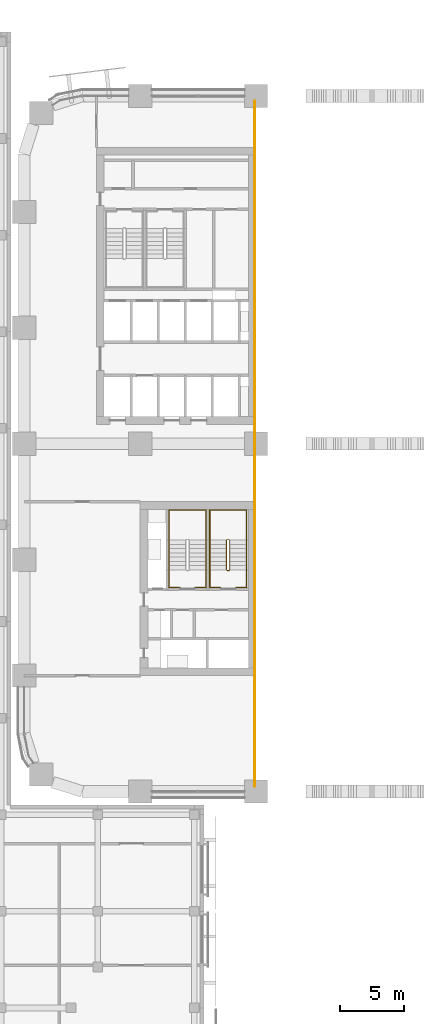
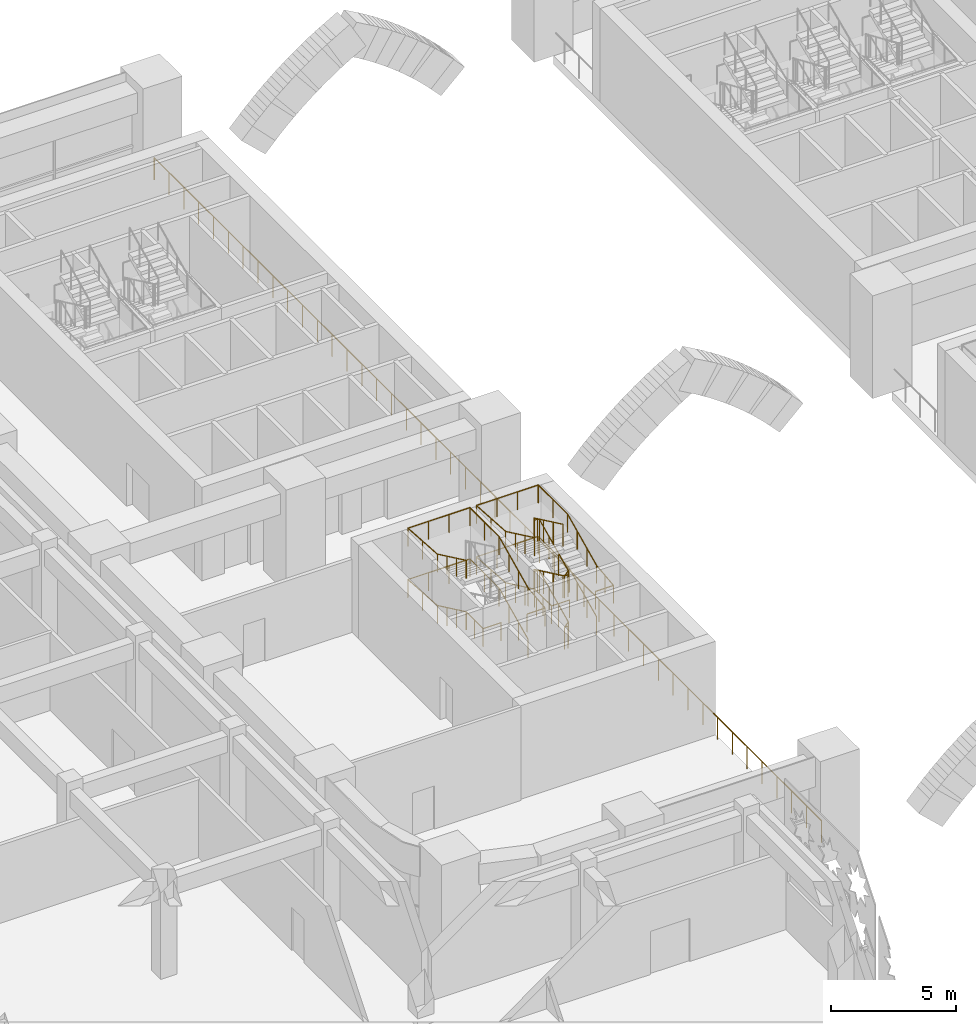
# One storey, part 33 of 40: 6 railings.
"""IFC4 building model written with IfcOpenShell, lengths in metres."""

from ifc_helpers import new_model, si_unit, direction, frame, origin, origin_2d, place, context, subcontext, project, spatial, circle, extrude, material, type_object, element, save


model = new_model("IFC4")

# Units and contexts
model_context = context("Model", 3, precision=1e-05, world=origin(), true_north=direction((0.0, 1.0)))
body_context = subcontext(model_context, "Body", "Model", "MODEL_VIEW")
ifc_project = project(units=[si_unit("LENGTHUNIT", "METRE"), si_unit("AREAUNIT", "SQUARE_METRE"), si_unit("VOLUMEUNIT", "CUBIC_METRE"), si_unit("PLANEANGLEUNIT", "RADIAN"), si_unit("MASSUNIT", "GRAM", prefix="KILO")], contexts=[model_context])

# Site, building, storey
site_placement = place(None, origin())
site = spatial("IfcSite", under=ifc_project, at=site_placement, CompositionType="ELEMENT")
building_placement = place(site_placement, origin())
building = spatial("IfcBuilding", under=site, at=building_placement, Name="Tessera Arch", CompositionType="ELEMENT")
storey_placement = place(building_placement, frame((0.0, 0.0, 21.0)))
storey = spatial("IfcBuildingStorey", under=building, at=storey_placement, Name="L03", CompositionType="ELEMENT", Elevation=21.0)

# Railings
ifc_material_1 = material(Name="Stainless steel and clear glass", Category="steel")
railing_type_1 = type_object("IfcRailingType", Name="Museum roof guard 1100", PredefinedType="GUARDRAIL", material=ifc_material_1)
railing_1_placement = place(storey_placement, frame((17.89990234375, 0.39990234375, 0.0)))
element("IfcRailing", 1, at=railing_1_placement, inside=storey, type_object=railing_type_1, Name="Arch passage edge guard L03", PredefinedType="GUARDRAIL", context=body_context, shape_type="SweptSolid", body=[
    extrude(circle(Radius=0.02490234375, at=origin_2d()), frame((0.0, -0.00390625, 1.0751953125), z_axis=(0.0, 1.0, 0.0), x_axis=(-1.0, 0.0, 0.0)), (0.0, 0.0, 1.0), 53.208251953125),
    extrude(circle(Radius=0.02001953125, at=origin_2d()), origin(), (0.0, 0.0, 1.0), 1.06201171875),
    extrude(circle(Radius=0.02001953125, at=origin_2d()), frame((0.0, 1.18212890625, 0.0)), (0.0, 0.0, 1.0), 1.06201171875),
    extrude(circle(Radius=0.02001953125, at=origin_2d()), frame((0.0, 2.364501953125, 0.0)), (0.0, 0.0, 1.0), 1.06201171875),
    extrude(circle(Radius=0.02001953125, at=origin_2d()), frame((0.0, 3.546630859375, 0.0)), (0.0, 0.0, 1.0), 1.06201171875),
    extrude(circle(Radius=0.02001953125, at=origin_2d()), frame((0.0, 4.72900390625, 0.0)), (0.0, 0.0, 1.0), 1.06201171875),
    extrude(circle(Radius=0.02001953125, at=origin_2d()), frame((0.0, 5.9111328125, 0.0)), (0.0, 0.0, 1.0), 1.06201171875),
    extrude(circle(Radius=0.02001953125, at=origin_2d()), frame((0.0, 7.09326171875, 0.0)), (0.0, 0.0, 1.0), 1.06201171875),
    extrude(circle(Radius=0.02001953125, at=origin_2d()), frame((0.0, 8.275634765625, 0.0)), (0.0, 0.0, 1.0), 1.06201171875),
    extrude(circle(Radius=0.02001953125, at=origin_2d()), frame((0.0, 9.457763671875, 0.0)), (0.0, 0.0, 1.0), 1.06201171875),
    extrude(circle(Radius=0.02001953125, at=origin_2d()), frame((0.0, 10.64013671875, 0.0)), (0.0, 0.0, 1.0), 1.06201171875),
    extrude(circle(Radius=0.02001953125, at=origin_2d()), frame((0.0, 11.822265625, 0.0)), (0.0, 0.0, 1.0), 1.06201171875),
    extrude(circle(Radius=0.02001953125, at=origin_2d()), frame((0.0, 13.00439453125, 0.0)), (0.0, 0.0, 1.0), 1.06201171875),
    extrude(circle(Radius=0.02001953125, at=origin_2d()), frame((0.0, 14.186767578125, 0.0)), (0.0, 0.0, 1.0), 1.06201171875),
    extrude(circle(Radius=0.02001953125, at=origin_2d()), frame((0.0, 15.368896484375, 0.0)), (0.0, 0.0, 1.0), 1.06201171875),
    extrude(circle(Radius=0.02001953125, at=origin_2d()), frame((0.0, 16.55126953125, 0.0)), (0.0, 0.0, 1.0), 1.06201171875),
    extrude(circle(Radius=0.02001953125, at=origin_2d()), frame((0.0, 17.7333984375, 0.0)), (0.0, 0.0, 1.0), 1.06201171875),
    extrude(circle(Radius=0.02001953125, at=origin_2d()), frame((0.0, 18.91552734375, 0.0)), (0.0, 0.0, 1.0), 1.06201171875),
    extrude(circle(Radius=0.02001953125, at=origin_2d()), frame((0.0, 20.097900390625, 0.0)), (0.0, 0.0, 1.0), 1.06201171875),
    extrude(circle(Radius=0.02001953125, at=origin_2d()), frame((0.0, 21.280029296875, 0.0)), (0.0, 0.0, 1.0), 1.06201171875),
    extrude(circle(Radius=0.02001953125, at=origin_2d()), frame((0.0, 22.46240234375, 0.0)), (0.0, 0.0, 1.0), 1.06201171875),
    extrude(circle(Radius=0.02001953125, at=origin_2d()), frame((0.0, 23.64453125, 0.0)), (0.0, 0.0, 1.0), 1.06201171875),
    extrude(circle(Radius=0.02001953125, at=origin_2d()), frame((0.0, 24.82666015625, 0.0)), (0.0, 0.0, 1.0), 1.06201171875),
    extrude(circle(Radius=0.02001953125, at=origin_2d()), frame((0.0, 26.009033203125, 0.0)), (0.0, 0.0, 1.0), 1.06201171875),
    extrude(circle(Radius=0.02001953125, at=origin_2d()), frame((0.0, 27.191162109375, 0.0)), (0.0, 0.0, 1.0), 1.06201171875),
    extrude(circle(Radius=0.02001953125, at=origin_2d()), frame((0.0, 28.37353515625, 0.0)), (0.0, 0.0, 1.0), 1.06201171875),
    extrude(circle(Radius=0.02001953125, at=origin_2d()), frame((0.0, 29.5556640625, 0.0)), (0.0, 0.0, 1.0), 1.06201171875),
    extrude(circle(Radius=0.02001953125, at=origin_2d()), frame((0.0, 30.73779296875, 0.0)), (0.0, 0.0, 1.0), 1.06201171875),
    extrude(circle(Radius=0.02001953125, at=origin_2d()), frame((0.0, 31.920166015625, 0.0)), (0.0, 0.0, 1.0), 1.06201171875),
    extrude(circle(Radius=0.02001953125, at=origin_2d()), frame((0.0, 33.102294921875, 0.0)), (0.0, 0.0, 1.0), 1.06201171875),
    extrude(circle(Radius=0.02001953125, at=origin_2d()), frame((0.0, 34.28466796875, 0.0)), (0.0, 0.0, 1.0), 1.06201171875),
    extrude(circle(Radius=0.02001953125, at=origin_2d()), frame((0.0, 35.466796875, 0.0)), (0.0, 0.0, 1.0), 1.06201171875),
    extrude(circle(Radius=0.02001953125, at=origin_2d()), frame((0.0, 36.64892578125, 0.0)), (0.0, 0.0, 1.0), 1.06201171875),
    extrude(circle(Radius=0.02001953125, at=origin_2d()), frame((0.0, 37.831298828125, 0.0)), (0.0, 0.0, 1.0), 1.06201171875),
    extrude(circle(Radius=0.02001953125, at=origin_2d()), frame((0.0, 39.013427734375, 0.0)), (0.0, 0.0, 1.0), 1.06201171875),
    extrude(circle(Radius=0.02001953125, at=origin_2d()), frame((0.0, 40.19580078125, 0.0)), (0.0, 0.0, 1.0), 1.06201171875),
    extrude(circle(Radius=0.02001953125, at=origin_2d()), frame((0.0, 41.3779296875, 0.0)), (0.0, 0.0, 1.0), 1.06201171875),
    extrude(circle(Radius=0.02001953125, at=origin_2d()), frame((0.0, 42.56005859375, 0.0)), (0.0, 0.0, 1.0), 1.06201171875),
    extrude(circle(Radius=0.02001953125, at=origin_2d()), frame((0.0, 43.742431640625, 0.0)), (0.0, 0.0, 1.0), 1.06201171875),
    extrude(circle(Radius=0.02001953125, at=origin_2d()), frame((0.0, 44.924560546875, 0.0)), (0.0, 0.0, 1.0), 1.06201171875),
    extrude(circle(Radius=0.02001953125, at=origin_2d()), frame((0.0, 46.10693359375, 0.0)), (0.0, 0.0, 1.0), 1.06201171875),
    extrude(circle(Radius=0.02001953125, at=origin_2d()), frame((0.0, 47.2890625, 0.0)), (0.0, 0.0, 1.0), 1.06201171875),
    extrude(circle(Radius=0.02001953125, at=origin_2d()), frame((0.0, 48.47119140625, 0.0)), (0.0, 0.0, 1.0), 1.06201171875),
    extrude(circle(Radius=0.02001953125, at=origin_2d()), frame((0.0, 49.653564453125, 0.0)), (0.0, 0.0, 1.0), 1.06201171875),
    extrude(circle(Radius=0.02001953125, at=origin_2d()), frame((0.0, 50.835693359375, 0.0)), (0.0, 0.0, 1.0), 1.06201171875),
    extrude(circle(Radius=0.02001953125, at=origin_2d()), frame((0.0, 52.01806640625, 0.0)), (0.0, 0.0, 1.0), 1.06201171875),
    extrude(circle(Radius=0.02001953125, at=origin_2d()), frame((0.0, 53.2001953125, 0.0)), (0.0, 0.0, 1.0), 1.06201171875),
])
ifc_material_2 = material(Name="Painted steel balustrade", Category="steel")
railing_type_2 = type_object("IfcRailingType", Name="Stair guard 1100", PredefinedType="GUARDRAIL", material=ifc_material_2)
railing_2_placement = place(storey_placement, frame((15.89990234375, 17.14990234375, 0.0)))
element("IfcRailing", 2, at=railing_2_placement, inside=storey, type_object=railing_type_2, Name="L03 S4a stair guard 1", PredefinedType="GUARDRAIL", context=body_context, shape_type="SweptSolid", body=[
    extrude(circle(Radius=0.02392578125, at=origin_2d()), frame((0.00390625, 0.0, 1.076171875), z_axis=(-1.0, 0.0, 0.0), x_axis=(0.0, -1.0, 0.0)), (0.0, 0.0, 1.0), 0.157958984375),
    extrude(circle(Radius=0.02392578125, at=origin_2d()), frame((-0.153076171875, -0.000732421875, 1.07373046875), z_axis=(0.77305925043, 0.19350078918, 0.604100024756), x_axis=(-0.242814311512, 0.970072785993, 0.0)), (0.0, 0.0, 1.0), 0.2666015625),
    extrude(circle(Radius=0.02392578125, at=origin_2d()), frame((0.050048828125, 0.04638671875, 1.23046875), z_axis=(0.0, 0.903811734687, 0.427930307694), x_axis=(-1.0, 0.0, 0.0)), (0.0, 0.0, 1.0), 2.56396484375),
    extrude(circle(Radius=0.02392578125, at=origin_2d()), frame((0.052978515625, 2.357177734375, 2.326171875), z_axis=(-0.707106781187, 0.707106781187, 0.0), x_axis=(-0.707106781187, -0.707106781187, 0.0)), (0.0, 0.0, 1.0), 0.078857421875),
    extrude(circle(Radius=0.02392578125, at=origin_2d()), frame((0.00390625, 2.41015625, 2.326171875), z_axis=(-1.0, 0.0, 0.0), x_axis=(0.0, -1.0, 0.0)), (0.0, 0.0, 1.0), 0.157958984375),
    extrude(circle(Radius=0.02392578125, at=origin_2d()), frame((-0.148681640625, 2.411376953125, 2.322509765625), z_axis=(-0.29177245553, -0.29177245553, 0.91089937336), x_axis=(0.707106781187, -0.707106781187, 0.0)), (0.0, 0.0, 1.0), 0.179443359375),
    extrude(circle(Radius=0.02392578125, at=origin_2d()), frame((-0.199951171875, 2.36376953125, 2.48046875), z_axis=(0.0, -0.903811734687, 0.427930307694), x_axis=(1.0, 0.0, 0.0)), (0.0, 0.0, 1.0), 2.56396484375),
    extrude(circle(Radius=0.02392578125, at=origin_2d()), frame((-0.203857421875, 0.051025390625, 3.576171875), z_axis=(0.970072785993, -0.242814311512, 0.0), x_axis=(0.242814311512, 0.970072785993, 0.0)), (0.0, 0.0, 1.0), 0.214111328125),
    extrude(circle(Radius=0.02392578125, at=origin_2d()), frame((0.00390625, 0.0, 3.576171875), z_axis=(-1.0, 0.0, 0.0), x_axis=(0.0, -1.0, 0.0)), (0.0, 0.0, 1.0), 0.157958984375),
    extrude(circle(Radius=0.02392578125, at=origin_2d()), frame((-0.153076171875, -0.000732421875, 3.57373046875), z_axis=(0.77305925043, 0.19350078918, 0.604100024756), x_axis=(-0.242814311512, 0.970072785993, 0.0)), (0.0, 0.0, 1.0), 0.2666015625),
    extrude(circle(Radius=0.02392578125, at=origin_2d()), frame((0.050048828125, 0.04638671875, 3.73046875), z_axis=(0.0, 0.903811734687, 0.427930307694), x_axis=(-1.0, 0.0, 0.0)), (0.0, 0.0, 1.0), 2.56396484375),
    extrude(circle(Radius=0.02392578125, at=origin_2d()), frame((0.052978515625, 2.357177734375, 4.826171875), z_axis=(-0.707106781187, 0.707106781187, 0.0), x_axis=(-0.707106781187, -0.707106781187, 0.0)), (0.0, 0.0, 1.0), 0.078857421875),
    extrude(circle(Radius=0.02392578125, at=origin_2d()), frame((0.00390625, 2.41015625, 4.826171875), z_axis=(-1.0, 0.0, 0.0), x_axis=(0.0, -1.0, 0.0)), (0.0, 0.0, 1.0), 0.157958984375),
    extrude(circle(Radius=0.02392578125, at=origin_2d()), frame((-0.148681640625, 2.411376953125, 4.822509765625), z_axis=(-0.29177245553, -0.29177245553, 0.91089937336), x_axis=(0.707106781187, -0.707106781187, 0.0)), (0.0, 0.0, 1.0), 0.179443359375),
    extrude(circle(Radius=0.02392578125, at=origin_2d()), frame((-0.199951171875, 2.36376953125, 4.98046875), z_axis=(0.0, -0.903811734687, 0.427930307694), x_axis=(1.0, 0.0, 0.0)), (0.0, 0.0, 1.0), 2.56396484375),
    extrude(circle(Radius=0.02099609375, at=origin_2d()), origin(), (0.0, 0.0, 1.0), 1.06396484375),
    extrude(circle(Radius=0.02099609375, at=origin_2d()), frame((-0.14990234375, 0.0, 0.0)), (0.0, 0.0, 1.0), 1.06396484375),
    extrude(circle(Radius=0.02099609375, at=origin_2d()), frame((0.050048828125, 0.050048828125, 0.15625)), (0.0, 0.0, 1.0), 1.06396484375),
    extrude(circle(Radius=0.02099609375, at=origin_2d()), frame((0.050048828125, 0.820068359375, 0.520751953125)), (0.0, 0.0, 1.0), 1.06396484375),
    extrude(circle(Radius=0.02099609375, at=origin_2d()), frame((0.050048828125, 1.590087890625, 0.885498046875)), (0.0, 0.0, 1.0), 1.06396484375),
    extrude(circle(Radius=0.02099609375, at=origin_2d()), frame((0.050048828125, 2.360107421875, 1.25)), (0.0, 0.0, 1.0), 1.06396484375),
    extrude(circle(Radius=0.02099609375, at=origin_2d()), frame((0.0, 2.41015625, 1.25)), (0.0, 0.0, 1.0), 1.06396484375),
    extrude(circle(Radius=0.02099609375, at=origin_2d()), frame((-0.14990234375, 2.41015625, 1.25)), (0.0, 0.0, 1.0), 1.06396484375),
    extrude(circle(Radius=0.02099609375, at=origin_2d()), frame((-0.199951171875, 2.360107421875, 1.40625)), (0.0, 0.0, 1.0), 1.06396484375),
    extrude(circle(Radius=0.02099609375, at=origin_2d()), frame((-0.199951171875, 1.590087890625, 1.770751953125)), (0.0, 0.0, 1.0), 1.06396484375),
    extrude(circle(Radius=0.02099609375, at=origin_2d()), frame((-0.199951171875, 0.820068359375, 2.135498046875)), (0.0, 0.0, 1.0), 1.06396484375),
    extrude(circle(Radius=0.02099609375, at=origin_2d()), frame((-0.199951171875, 0.050048828125, 2.5)), (0.0, 0.0, 1.0), 1.06396484375),
    extrude(circle(Radius=0.02099609375, at=origin_2d()), frame((0.0, 0.0, 2.5)), (0.0, 0.0, 1.0), 1.06396484375),
    extrude(circle(Radius=0.02099609375, at=origin_2d()), frame((-0.14990234375, 0.0, 2.5)), (0.0, 0.0, 1.0), 1.06396484375),
    extrude(circle(Radius=0.02099609375, at=origin_2d()), frame((0.050048828125, 0.050048828125, 2.65625)), (0.0, 0.0, 1.0), 1.06396484375),
    extrude(circle(Radius=0.02099609375, at=origin_2d()), frame((0.050048828125, 0.820068359375, 3.020751953125)), (0.0, 0.0, 1.0), 1.06396484375),
    extrude(circle(Radius=0.02099609375, at=origin_2d()), frame((0.050048828125, 1.590087890625, 3.385498046875)), (0.0, 0.0, 1.0), 1.06396484375),
    extrude(circle(Radius=0.02099609375, at=origin_2d()), frame((0.050048828125, 2.360107421875, 3.75)), (0.0, 0.0, 1.0), 1.06396484375),
    extrude(circle(Radius=0.02099609375, at=origin_2d()), frame((0.0, 2.41015625, 3.75)), (0.0, 0.0, 1.0), 1.06396484375),
    extrude(circle(Radius=0.02099609375, at=origin_2d()), frame((-0.14990234375, 2.41015625, 3.75)), (0.0, 0.0, 1.0), 1.06396484375),
    extrude(circle(Radius=0.02099609375, at=origin_2d()), frame((-0.199951171875, 2.360107421875, 3.90625)), (0.0, 0.0, 1.0), 1.06396484375),
    extrude(circle(Radius=0.02099609375, at=origin_2d()), frame((-0.199951171875, 1.590087890625, 4.270751953125)), (0.0, 0.0, 1.0), 1.06396484375),
    extrude(circle(Radius=0.02099609375, at=origin_2d()), frame((-0.199951171875, 0.820068359375, 4.635498046875)), (0.0, 0.0, 1.0), 1.06396484375),
    extrude(circle(Radius=0.02099609375, at=origin_2d()), frame((-0.199951171875, 0.050048828125, 5.0)), (0.0, 0.0, 1.0), 1.06396484375),
])
ifc_material_3 = material(Name="Painted steel handrail", Category="steel")
railing_type_3 = type_object("IfcRailingType", Name="Stair handrail 900", PredefinedType="HANDRAIL", material=ifc_material_3)
railing_3_placement = place(storey_placement, frame((17.25, 17.199951171875, 0.15625)))
element("IfcRailing", 3, at=railing_3_placement, inside=storey, type_object=railing_type_3, Name="L03 S4a stair handrail", PredefinedType="HANDRAIL", context=body_context, shape_type="SweptSolid", body=[
    extrude(circle(Radius=0.02392578125, at=origin_2d()), frame((0.0, -0.003662109375, 0.8740234375), z_axis=(0.0, 0.903811734687, 0.427930307694), x_axis=(-1.0, 0.0, 0.0)), (0.0, 0.0, 1.0), 2.56396484375),
    extrude(circle(Radius=0.02392578125, at=origin_2d()), frame((0.0, 2.30615234375, 1.9697265625), z_axis=(0.0, 1.0, 0.0), x_axis=(-1.0, 0.0, 0.0)), (0.0, 0.0, 1.0), 2.34814453125),
    extrude(circle(Radius=0.02392578125, at=origin_2d()), frame((0.00390625, 4.650146484375, 1.9697265625), z_axis=(-1.0, 0.0, 0.0), x_axis=(0.0, -1.0, 0.0)), (0.0, 0.0, 1.0), 2.858154296875),
    extrude(circle(Radius=0.02392578125, at=origin_2d()), frame((-2.85009765625, 4.654052734375, 1.96923828125), z_axis=(0.0, -0.997778243323, 0.066622647441), x_axis=(1.0, 0.0, 0.0)), (0.0, 0.0, 1.0), 2.353271484375),
    extrude(circle(Radius=0.02392578125, at=origin_2d()), frame((-2.85009765625, 2.313720703125, 2.1240234375), z_axis=(0.0, -0.903811734687, 0.427930307694), x_axis=(1.0, 0.0, 0.0)), (0.0, 0.0, 1.0), 2.56396484375),
    extrude(circle(Radius=0.02392578125, at=origin_2d()), frame((-2.85009765625, 0.00390625, 3.2197265625), z_axis=(0.0, -1.0, 0.0), x_axis=(1.0, 0.0, 0.0)), (0.0, 0.0, 1.0), 1.35791015625),
    extrude(circle(Radius=0.02392578125, at=origin_2d()), frame((-2.85400390625, -1.349853515625, 3.2197265625), z_axis=(1.0, 0.0, 0.0), x_axis=(0.0, 1.0, 0.0)), (0.0, 0.0, 1.0), 0.833251953125),
    extrude(circle(Radius=0.02099609375, at=origin_2d()), origin(), (0.0, 0.0, 1.0), 0.86376953125),
    extrude(circle(Radius=0.02099609375, at=origin_2d()), frame((0.0, 0.77001953125, 0.364501953125)), (0.0, 0.0, 1.0), 0.86376953125),
    extrude(circle(Radius=0.02099609375, at=origin_2d()), frame((0.0, 1.5400390625, 0.729248046875)), (0.0, 0.0, 1.0), 0.86376953125),
    extrude(circle(Radius=0.02099609375, at=origin_2d()), frame((0.0, 2.31005859375, 1.09375)), (0.0, 0.0, 1.0), 0.86376953125),
    extrude(circle(Radius=0.02099609375, at=origin_2d()), frame((0.0, 3.47998046875, 1.09375)), (0.0, 0.0, 1.0), 0.86376953125),
    extrude(circle(Radius=0.02099609375, at=origin_2d()), frame((0.0, 4.650146484375, 1.09375)), (0.0, 0.0, 1.0), 0.86376953125),
    extrude(circle(Radius=0.02099609375, at=origin_2d()), frame((-0.949951171875, 4.650146484375, 1.09375)), (0.0, 0.0, 1.0), 0.86376953125),
    extrude(circle(Radius=0.02099609375, at=origin_2d()), frame((-1.900146484375, 4.650146484375, 1.09375)), (0.0, 0.0, 1.0), 0.86376953125),
    extrude(circle(Radius=0.02099609375, at=origin_2d()), frame((-2.85009765625, 4.650146484375, 1.09375)), (0.0, 0.0, 1.0), 0.86376953125),
    extrude(circle(Radius=0.02099609375, at=origin_2d()), frame((-2.85009765625, 3.47998046875, 1.171875)), (0.0, 0.0, 1.0), 0.86376953125),
    extrude(circle(Radius=0.02099609375, at=origin_2d()), frame((-2.85009765625, 2.31005859375, 1.25)), (0.0, 0.0, 1.0), 0.86376953125),
    extrude(circle(Radius=0.02099609375, at=origin_2d()), frame((-2.85009765625, 1.5400390625, 1.614501953125)), (0.0, 0.0, 1.0), 0.86376953125),
    extrude(circle(Radius=0.02099609375, at=origin_2d()), frame((-2.85009765625, 0.77001953125, 1.979248046875)), (0.0, 0.0, 1.0), 0.86376953125),
    extrude(circle(Radius=0.02099609375, at=origin_2d()), frame((-2.85009765625, 0.0, 2.34375)), (0.0, 0.0, 1.0), 0.86376953125),
    extrude(circle(Radius=0.02099609375, at=origin_2d()), frame((-2.85009765625, -0.6748046875, 2.34375)), (0.0, 0.0, 1.0), 0.86376953125),
    extrude(circle(Radius=0.02099609375, at=origin_2d()), frame((-2.85009765625, -1.349853515625, 2.34375)), (0.0, 0.0, 1.0), 0.86376953125),
    extrude(circle(Radius=0.02099609375, at=origin_2d()), frame((-2.02490234375, -1.349853515625, 2.34375)), (0.0, 0.0, 1.0), 0.86376953125),
])
railing_4_placement = place(storey_placement, frame((16.425048828125, 15.85009765625, 2.5)))
element("IfcRailing", 4, at=railing_4_placement, inside=storey, type_object=railing_type_3, Name="L03 S4a stair handrail 2", PredefinedType="HANDRAIL", context=body_context, shape_type="SweptSolid", body=[
    extrude(circle(Radius=0.02392578125, at=origin_2d()), frame((-0.00390625, 0.0, 0.8759765625), z_axis=(1.0, 0.0, 0.0), x_axis=(0.0, 1.0, 0.0)), (0.0, 0.0, 1.0), 0.8330078125),
    extrude(circle(Radius=0.02392578125, at=origin_2d()), frame((0.824951171875, -0.00390625, 0.87548828125), z_axis=(0.0, 0.993367166886, 0.114985528451), x_axis=(-1.0, 0.0, 0.0)), (0.0, 0.0, 1.0), 1.366943359375),
    extrude(circle(Radius=0.02392578125, at=origin_2d()), frame((0.824951171875, 1.34619140625, 1.0302734375), z_axis=(0.0, 0.903811734687, 0.427930307694), x_axis=(-1.0, 0.0, 0.0)), (0.0, 0.0, 1.0), 2.56396484375),
    extrude(circle(Radius=0.02392578125, at=origin_2d()), frame((0.824951171875, 3.656005859375, 2.1259765625), z_axis=(0.0, 1.0, 0.0), x_axis=(-1.0, 0.0, 0.0)), (0.0, 0.0, 1.0), 2.34814453125),
    extrude(circle(Radius=0.02392578125, at=origin_2d()), frame((0.828857421875, 6.0, 2.1259765625), z_axis=(-1.0, 0.0, 0.0), x_axis=(0.0, -1.0, 0.0)), (0.0, 0.0, 1.0), 2.858154296875),
    extrude(circle(Radius=0.02392578125, at=origin_2d()), frame((-2.025146484375, 6.00390625, 2.12548828125), z_axis=(0.0, -0.997778243323, 0.066622647441), x_axis=(1.0, 0.0, 0.0)), (0.0, 0.0, 1.0), 2.353271484375),
    extrude(circle(Radius=0.02392578125, at=origin_2d()), frame((-2.025146484375, 3.66357421875, 2.2802734375), z_axis=(0.0, -0.903811734687, 0.427930307694), x_axis=(1.0, 0.0, 0.0)), (0.0, 0.0, 1.0), 2.56396484375),
    extrude(circle(Radius=0.02099609375, at=origin_2d()), origin(), (0.0, 0.0, 1.0), 0.86376953125),
    extrude(circle(Radius=0.02099609375, at=origin_2d()), frame((0.824951171875, 0.0, 0.0)), (0.0, 0.0, 1.0), 0.86376953125),
    extrude(circle(Radius=0.02099609375, at=origin_2d()), frame((0.824951171875, 0.6748046875, 0.078125)), (0.0, 0.0, 1.0), 0.86376953125),
    extrude(circle(Radius=0.02099609375, at=origin_2d()), frame((0.824951171875, 1.349853515625, 0.15625)), (0.0, 0.0, 1.0), 0.86376953125),
    extrude(circle(Radius=0.02099609375, at=origin_2d()), frame((0.824951171875, 2.119873046875, 0.520751953125)), (0.0, 0.0, 1.0), 0.86376953125),
    extrude(circle(Radius=0.02099609375, at=origin_2d()), frame((0.824951171875, 2.889892578125, 0.885498046875)), (0.0, 0.0, 1.0), 0.86376953125),
    extrude(circle(Radius=0.02099609375, at=origin_2d()), frame((0.824951171875, 3.659912109375, 1.25)), (0.0, 0.0, 1.0), 0.86376953125),
    extrude(circle(Radius=0.02099609375, at=origin_2d()), frame((0.824951171875, 4.830078125, 1.25)), (0.0, 0.0, 1.0), 0.86376953125),
    extrude(circle(Radius=0.02099609375, at=origin_2d()), frame((0.824951171875, 6.0, 1.25)), (0.0, 0.0, 1.0), 0.86376953125),
    extrude(circle(Radius=0.02099609375, at=origin_2d()), frame((-0.125, 6.0, 1.25)), (0.0, 0.0, 1.0), 0.86376953125),
    extrude(circle(Radius=0.02099609375, at=origin_2d()), frame((-1.0751953125, 6.0, 1.25)), (0.0, 0.0, 1.0), 0.86376953125),
    extrude(circle(Radius=0.02099609375, at=origin_2d()), frame((-2.025146484375, 6.0, 1.25)), (0.0, 0.0, 1.0), 0.86376953125),
    extrude(circle(Radius=0.02099609375, at=origin_2d()), frame((-2.025146484375, 4.830078125, 1.328125)), (0.0, 0.0, 1.0), 0.86376953125),
    extrude(circle(Radius=0.02099609375, at=origin_2d()), frame((-2.025146484375, 3.659912109375, 1.40625)), (0.0, 0.0, 1.0), 0.86376953125),
    extrude(circle(Radius=0.02099609375, at=origin_2d()), frame((-2.025146484375, 2.889892578125, 1.770751953125)), (0.0, 0.0, 1.0), 0.86376953125),
    extrude(circle(Radius=0.02099609375, at=origin_2d()), frame((-2.025146484375, 2.119873046875, 2.135498046875)), (0.0, 0.0, 1.0), 0.86376953125),
    extrude(circle(Radius=0.02099609375, at=origin_2d()), frame((-2.025146484375, 1.349853515625, 2.5)), (0.0, 0.0, 1.0), 0.86376953125),
])
railing_5_placement = place(storey_placement, frame((14.10009765625, 17.199951171875, 0.15625)))
element("IfcRailing", 5, at=railing_5_placement, inside=storey, type_object=railing_type_3, Name="L03 S4b stair handrail", PredefinedType="HANDRAIL", context=body_context, shape_type="SweptSolid", body=[
    extrude(circle(Radius=0.02392578125, at=origin_2d()), frame((0.0, -0.003662109375, 0.8740234375), z_axis=(0.0, 0.903811734687, 0.427930307694), x_axis=(-1.0, 0.0, 0.0)), (0.0, 0.0, 1.0), 2.56396484375),
    extrude(circle(Radius=0.02392578125, at=origin_2d()), frame((0.0, 2.30615234375, 1.9697265625), z_axis=(0.0, 1.0, 0.0), x_axis=(-1.0, 0.0, 0.0)), (0.0, 0.0, 1.0), 2.34814453125),
    extrude(circle(Radius=0.02392578125, at=origin_2d()), frame((0.00390625, 4.650146484375, 1.9697265625), z_axis=(-1.0, 0.0, 0.0), x_axis=(0.0, -1.0, 0.0)), (0.0, 0.0, 1.0), 2.858154296875),
    extrude(circle(Radius=0.02392578125, at=origin_2d()), frame((-2.85009765625, 4.654052734375, 1.96923828125), z_axis=(0.0, -0.997778243323, 0.066622647441), x_axis=(1.0, 0.0, 0.0)), (0.0, 0.0, 1.0), 2.353271484375),
    extrude(circle(Radius=0.02392578125, at=origin_2d()), frame((-2.85009765625, 2.313720703125, 2.1240234375), z_axis=(0.0, -0.903811734687, 0.427930307694), x_axis=(1.0, 0.0, 0.0)), (0.0, 0.0, 1.0), 2.56396484375),
    extrude(circle(Radius=0.02392578125, at=origin_2d()), frame((-2.85009765625, 0.00390625, 3.2197265625), z_axis=(0.0, -1.0, 0.0), x_axis=(1.0, 0.0, 0.0)), (0.0, 0.0, 1.0), 1.35791015625),
    extrude(circle(Radius=0.02392578125, at=origin_2d()), frame((-2.85400390625, -1.349853515625, 3.2197265625), z_axis=(1.0, 0.0, 0.0), x_axis=(0.0, 1.0, 0.0)), (0.0, 0.0, 1.0), 0.8330078125),
    extrude(circle(Radius=0.02099609375, at=origin_2d()), origin(), (0.0, 0.0, 1.0), 0.86376953125),
    extrude(circle(Radius=0.02099609375, at=origin_2d()), frame((0.0, 0.77001953125, 0.364501953125)), (0.0, 0.0, 1.0), 0.86376953125),
    extrude(circle(Radius=0.02099609375, at=origin_2d()), frame((0.0, 1.5400390625, 0.729248046875)), (0.0, 0.0, 1.0), 0.86376953125),
    extrude(circle(Radius=0.02099609375, at=origin_2d()), frame((0.0, 2.31005859375, 1.09375)), (0.0, 0.0, 1.0), 0.86376953125),
    extrude(circle(Radius=0.02099609375, at=origin_2d()), frame((0.0, 3.47998046875, 1.09375)), (0.0, 0.0, 1.0), 0.86376953125),
    extrude(circle(Radius=0.02099609375, at=origin_2d()), frame((0.0, 4.650146484375, 1.09375)), (0.0, 0.0, 1.0), 0.86376953125),
    extrude(circle(Radius=0.02099609375, at=origin_2d()), frame((-0.949951171875, 4.650146484375, 1.09375)), (0.0, 0.0, 1.0), 0.86376953125),
    extrude(circle(Radius=0.02099609375, at=origin_2d()), frame((-1.900146484375, 4.650146484375, 1.09375)), (0.0, 0.0, 1.0), 0.86376953125),
    extrude(circle(Radius=0.02099609375, at=origin_2d()), frame((-2.85009765625, 4.650146484375, 1.09375)), (0.0, 0.0, 1.0), 0.86376953125),
    extrude(circle(Radius=0.02099609375, at=origin_2d()), frame((-2.85009765625, 3.47998046875, 1.171875)), (0.0, 0.0, 1.0), 0.86376953125),
    extrude(circle(Radius=0.02099609375, at=origin_2d()), frame((-2.85009765625, 2.31005859375, 1.25)), (0.0, 0.0, 1.0), 0.86376953125),
    extrude(circle(Radius=0.02099609375, at=origin_2d()), frame((-2.85009765625, 1.5400390625, 1.614501953125)), (0.0, 0.0, 1.0), 0.86376953125),
    extrude(circle(Radius=0.02099609375, at=origin_2d()), frame((-2.85009765625, 0.77001953125, 1.979248046875)), (0.0, 0.0, 1.0), 0.86376953125),
    extrude(circle(Radius=0.02099609375, at=origin_2d()), frame((-2.85009765625, 0.0, 2.34375)), (0.0, 0.0, 1.0), 0.86376953125),
    extrude(circle(Radius=0.02099609375, at=origin_2d()), frame((-2.85009765625, -0.6748046875, 2.34375)), (0.0, 0.0, 1.0), 0.86376953125),
    extrude(circle(Radius=0.02099609375, at=origin_2d()), frame((-2.85009765625, -1.349853515625, 2.34375)), (0.0, 0.0, 1.0), 0.86376953125),
    extrude(circle(Radius=0.02099609375, at=origin_2d()), frame((-2.025146484375, -1.349853515625, 2.34375)), (0.0, 0.0, 1.0), 0.86376953125),
])
railing_6_placement = place(storey_placement, frame((13.27490234375, 15.85009765625, 2.5)))
element("IfcRailing", 6, at=railing_6_placement, inside=storey, type_object=railing_type_3, Name="L03 S4b stair handrail 2", PredefinedType="HANDRAIL", context=body_context, shape_type="SweptSolid", body=[
    extrude(circle(Radius=0.02392578125, at=origin_2d()), frame((-0.00390625, 0.0, 0.8759765625), z_axis=(1.0, 0.0, 0.0), x_axis=(0.0, 1.0, 0.0)), (0.0, 0.0, 1.0), 0.833251953125),
    extrude(circle(Radius=0.02392578125, at=origin_2d()), frame((0.8251953125, -0.00390625, 0.87548828125), z_axis=(0.0, 0.993367166886, 0.114985528451), x_axis=(-1.0, 0.0, 0.0)), (0.0, 0.0, 1.0), 1.366943359375),
    extrude(circle(Radius=0.02392578125, at=origin_2d()), frame((0.8251953125, 1.34619140625, 1.0302734375), z_axis=(0.0, 0.903811734687, 0.427930307694), x_axis=(-1.0, 0.0, 0.0)), (0.0, 0.0, 1.0), 2.56396484375),
    extrude(circle(Radius=0.02392578125, at=origin_2d()), frame((0.8251953125, 3.656005859375, 2.1259765625), z_axis=(0.0, 1.0, 0.0), x_axis=(-1.0, 0.0, 0.0)), (0.0, 0.0, 1.0), 2.34814453125),
    extrude(circle(Radius=0.02392578125, at=origin_2d()), frame((0.8291015625, 6.0, 2.1259765625), z_axis=(-1.0, 0.0, 0.0), x_axis=(0.0, -1.0, 0.0)), (0.0, 0.0, 1.0), 2.858154296875),
    extrude(circle(Radius=0.02392578125, at=origin_2d()), frame((-2.02490234375, 6.00390625, 2.12548828125), z_axis=(0.0, -0.997778243323, 0.066622647441), x_axis=(1.0, 0.0, 0.0)), (0.0, 0.0, 1.0), 2.353271484375),
    extrude(circle(Radius=0.02392578125, at=origin_2d()), frame((-2.02490234375, 3.66357421875, 2.2802734375), z_axis=(0.0, -0.903811734687, 0.427930307694), x_axis=(1.0, 0.0, 0.0)), (0.0, 0.0, 1.0), 2.56396484375),
    extrude(circle(Radius=0.02099609375, at=origin_2d()), origin(), (0.0, 0.0, 1.0), 0.86376953125),
    extrude(circle(Radius=0.02099609375, at=origin_2d()), frame((0.8251953125, 0.0, 0.0)), (0.0, 0.0, 1.0), 0.86376953125),
    extrude(circle(Radius=0.02099609375, at=origin_2d()), frame((0.8251953125, 0.6748046875, 0.078125)), (0.0, 0.0, 1.0), 0.86376953125),
    extrude(circle(Radius=0.02099609375, at=origin_2d()), frame((0.8251953125, 1.349853515625, 0.15625)), (0.0, 0.0, 1.0), 0.86376953125),
    extrude(circle(Radius=0.02099609375, at=origin_2d()), frame((0.8251953125, 2.119873046875, 0.520751953125)), (0.0, 0.0, 1.0), 0.86376953125),
    extrude(circle(Radius=0.02099609375, at=origin_2d()), frame((0.8251953125, 2.889892578125, 0.885498046875)), (0.0, 0.0, 1.0), 0.86376953125),
    extrude(circle(Radius=0.02099609375, at=origin_2d()), frame((0.8251953125, 3.659912109375, 1.25)), (0.0, 0.0, 1.0), 0.86376953125),
    extrude(circle(Radius=0.02099609375, at=origin_2d()), frame((0.8251953125, 4.830078125, 1.25)), (0.0, 0.0, 1.0), 0.86376953125),
    extrude(circle(Radius=0.02099609375, at=origin_2d()), frame((0.8251953125, 6.0, 1.25)), (0.0, 0.0, 1.0), 0.86376953125),
    extrude(circle(Radius=0.02099609375, at=origin_2d()), frame((-0.124755859375, 6.0, 1.25)), (0.0, 0.0, 1.0), 0.86376953125),
    extrude(circle(Radius=0.02099609375, at=origin_2d()), frame((-1.074951171875, 6.0, 1.25)), (0.0, 0.0, 1.0), 0.86376953125),
    extrude(circle(Radius=0.02099609375, at=origin_2d()), frame((-2.02490234375, 6.0, 1.25)), (0.0, 0.0, 1.0), 0.86376953125),
    extrude(circle(Radius=0.02099609375, at=origin_2d()), frame((-2.02490234375, 4.830078125, 1.328125)), (0.0, 0.0, 1.0), 0.86376953125),
    extrude(circle(Radius=0.02099609375, at=origin_2d()), frame((-2.02490234375, 3.659912109375, 1.40625)), (0.0, 0.0, 1.0), 0.86376953125),
    extrude(circle(Radius=0.02099609375, at=origin_2d()), frame((-2.02490234375, 2.889892578125, 1.770751953125)), (0.0, 0.0, 1.0), 0.86376953125),
    extrude(circle(Radius=0.02099609375, at=origin_2d()), frame((-2.02490234375, 2.119873046875, 2.135498046875)), (0.0, 0.0, 1.0), 0.86376953125),
    extrude(circle(Radius=0.02099609375, at=origin_2d()), frame((-2.02490234375, 1.349853515625, 2.5)), (0.0, 0.0, 1.0), 0.86376953125),
])

save(model, "model.ifc")
